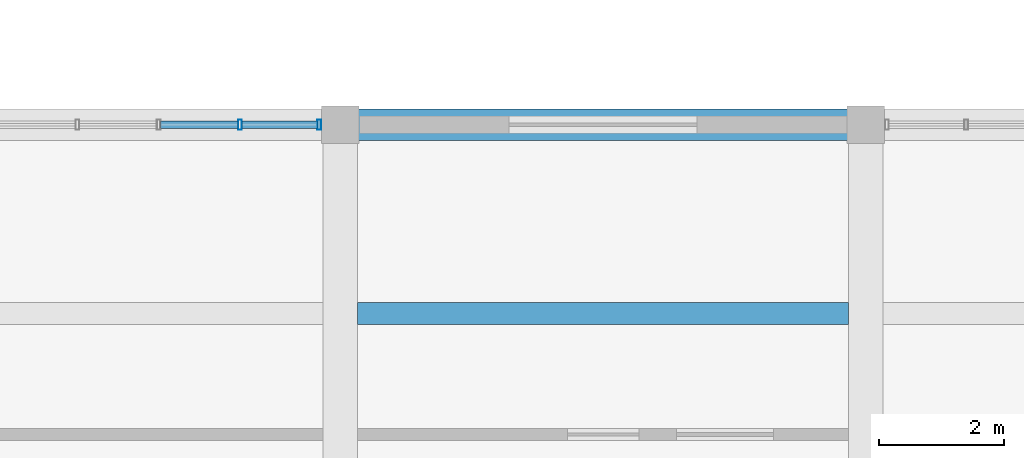
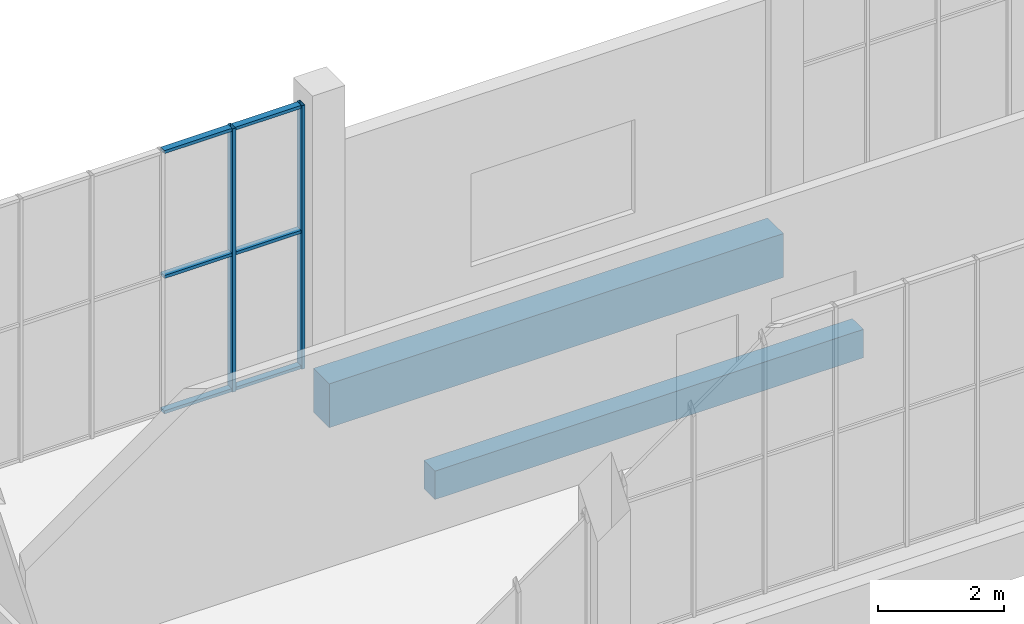
# One storey, part 64 of 132: 8 members, 2 beams, 1 element without a shape of its own.
"""IFC4 building model written with IfcOpenShell, lengths in metres."""

from ifc_helpers import new_model, si_unit, direction, frame, origin, origin_2d, place, context, subcontext, project, spatial, rectangle, hollow_rectangle, extrude, material, material_profile, profile_set, type_object, element, aggregate, save


model = new_model("IFC4")

# Units and contexts
model_context = context("Model", 3, precision=1e-05, world=origin(), true_north=direction((0.0, 1.0)))
body_context = subcontext(model_context, "Body", "Model", "MODEL_VIEW")
ifc_project = project(units=[si_unit("LENGTHUNIT", "METRE"), si_unit("AREAUNIT", "SQUARE_METRE"), si_unit("VOLUMEUNIT", "CUBIC_METRE"), si_unit("PLANEANGLEUNIT", "RADIAN"), si_unit("MASSUNIT", "GRAM", prefix="KILO")], contexts=[model_context])

# Site, building, storey
site_placement = place(None, origin())
site = spatial("IfcSite", under=ifc_project, at=site_placement, CompositionType="ELEMENT")
building_placement = place(site_placement, origin())
building = spatial("IfcBuilding", under=site, at=building_placement, Name="Khurvash Pelagic Aquarium", CompositionType="ELEMENT")
storey_placement = place(building_placement, frame((0.0, 0.0, 5.39990234375)))
storey = spatial("IfcBuildingStorey", under=building, at=storey_placement, Name="L01", CompositionType="ELEMENT", Elevation=5.39990234375)

# Curtain wall, members
ifc_material_1 = material(Name="Anodised aluminium and low-E laminated glass", Category="aluminium")
curtain_wall_type = type_object("IfcCurtainWallType", Name="CW-05", PredefinedType="USERDEFINED", material=ifc_material_1)
curtain_wall_placement = place(storey_placement, origin())
curtain_wall = element("IfcCurtainWall", 1, at=curtain_wall_placement, inside=storey, type_object=curtain_wall_type, Name="L01 Facade Unitised Curtain Wall CW-05 0120", ObjectType="UNITISED CURTAIN WALL", PredefinedType="USERDEFINED")
ifc_material_2 = material(Name="Extruded aluminium AW-6063-T6", Category="aluminium")
ifc_material_profile_1 = material_profile(ifc_material_2, hollow_rectangle(XDim=0.06005859375, YDim=0.159912109375, WallThickness=0.00390625, at=origin_2d()), Name="CWM60X160X4")
ifc_profile_set_1 = profile_set([ifc_material_profile_1], Name="Extruded aluminium AW-6063-T6")
member_type_1 = type_object("IfcMemberType", Name="CM-02", PredefinedType="MULLION", material=ifc_profile_set_1)
member_1_placement = place(storey_placement, frame((41.6650390625, 102.14990234375, 0.0), z_axis=(0.0, 0.0, 1.0), x_axis=(-1.0, 0.0, 0.0)))
member_1 = element("IfcMember", 2, at=member_1_placement, type_object=member_type_1, Name="CW-05 mullion 1", PredefinedType="MULLION", context=body_context, shape_type="SweptSolid", body=[
    extrude(hollow_rectangle(XDim=0.06005859375, YDim=0.159912109375, WallThickness=0.00390625, at=origin_2d()), origin(), (0.0, 0.0, 1.0), 5.10009765625),
])
member_2_placement = place(storey_placement, frame((40.396728515625, 102.14990234375, 0.0), z_axis=(0.0, 0.0, 1.0), x_axis=(-1.0, 0.0, 0.0)))
member_2 = element("IfcMember", 3, at=member_2_placement, type_object=member_type_1, Name="CW-05 mullion 2", PredefinedType="MULLION", context=body_context, shape_type="SweptSolid", body=[
    extrude(hollow_rectangle(XDim=0.06005859375, YDim=0.159912109375, WallThickness=0.00390625, at=origin_2d()), origin(), (0.0, 0.0, 1.0), 5.10009765625),
])
ifc_material_profile_2 = material_profile(ifc_material_2, hollow_rectangle(XDim=0.1201171875, YDim=0.06005859375, WallThickness=0.00390625, at=origin_2d()), Name="CWT120X60X4")
ifc_profile_set_2 = profile_set([ifc_material_profile_2], Name="Extruded aluminium AW-6063-T6")
member_type_2 = type_object("IfcMemberType", Name="CT-02", PredefinedType="USERDEFINED", material=ifc_profile_set_2)
member_3_placement = place(storey_placement, frame((41.635009765625, 102.14990234375, 0.030029296875), z_axis=(-1.0, 0.0, 0.0), x_axis=(0.0, -1.0, 0.0)))
member_3 = element("IfcMember", 4, at=member_3_placement, type_object=member_type_2, Name="CW-05 transom 1.1", ObjectType="TRANSOM", PredefinedType="USERDEFINED", context=body_context, shape_type="SweptSolid", body=[
    extrude(hollow_rectangle(XDim=0.1201171875, YDim=0.06005859375, WallThickness=0.00390625, at=origin_2d()), origin(), (0.0, 0.0, 1.0), 1.208251953125),
])
member_4_placement = place(storey_placement, frame((41.635009765625, 102.14990234375, 2.652099609375), z_axis=(-1.0, 0.0, 0.0), x_axis=(0.0, -1.0, 0.0)))
member_4 = element("IfcMember", 5, at=member_4_placement, type_object=member_type_2, Name="CW-05 transom 1.2", ObjectType="TRANSOM", PredefinedType="USERDEFINED", context=body_context, shape_type="SweptSolid", body=[
    extrude(hollow_rectangle(XDim=0.1201171875, YDim=0.06005859375, WallThickness=0.00390625, at=origin_2d()), origin(), (0.0, 0.0, 1.0), 1.208251953125),
])
member_5_placement = place(storey_placement, frame((41.635009765625, 102.14990234375, 5.070068359375), z_axis=(-1.0, 0.0, 0.0), x_axis=(0.0, -1.0, 0.0)))
member_5 = element("IfcMember", 6, at=member_5_placement, type_object=member_type_2, Name="CW-05 transom 1.3", ObjectType="TRANSOM", PredefinedType="USERDEFINED", context=body_context, shape_type="SweptSolid", body=[
    extrude(hollow_rectangle(XDim=0.1201171875, YDim=0.06005859375, WallThickness=0.00390625, at=origin_2d()), origin(), (0.0, 0.0, 1.0), 1.208251953125),
])
member_6_placement = place(storey_placement, frame((40.36669921875, 102.14990234375, 0.030029296875), z_axis=(-1.0, 0.0, 0.0), x_axis=(0.0, -1.0, 0.0)))
member_6 = element("IfcMember", 7, at=member_6_placement, type_object=member_type_2, Name="CW-05 transom 2.1", ObjectType="TRANSOM", PredefinedType="USERDEFINED", context=body_context, shape_type="SweptSolid", body=[
    extrude(hollow_rectangle(XDim=0.1201171875, YDim=0.06005859375, WallThickness=0.00390625, at=origin_2d()), origin(), (0.0, 0.0, 1.0), 1.23828125),
])
member_7_placement = place(storey_placement, frame((40.36669921875, 102.14990234375, 2.652099609375), z_axis=(-1.0, 0.0, 0.0), x_axis=(0.0, -1.0, 0.0)))
member_7 = element("IfcMember", 8, at=member_7_placement, type_object=member_type_2, Name="CW-05 transom 2.2", ObjectType="TRANSOM", PredefinedType="USERDEFINED", context=body_context, shape_type="SweptSolid", body=[
    extrude(hollow_rectangle(XDim=0.1201171875, YDim=0.06005859375, WallThickness=0.00390625, at=origin_2d()), origin(), (0.0, 0.0, 1.0), 1.23828125),
])
member_8_placement = place(storey_placement, frame((40.36669921875, 102.14990234375, 5.070068359375), z_axis=(-1.0, 0.0, 0.0), x_axis=(0.0, -1.0, 0.0)))
member_8 = element("IfcMember", 9, at=member_8_placement, type_object=member_type_2, Name="CW-05 transom 2.3", ObjectType="TRANSOM", PredefinedType="USERDEFINED", context=body_context, shape_type="SweptSolid", body=[
    extrude(hollow_rectangle(XDim=0.1201171875, YDim=0.06005859375, WallThickness=0.00390625, at=origin_2d()), origin(), (0.0, 0.0, 1.0), 1.23828125),
])
aggregate(curtain_wall, [member_1, member_2, member_3, member_4, member_5, member_6, member_7, member_8])

# Beams
ifc_material_3 = material(Name="Concrete C35/45", Category="concrete")
ifc_material_profile_3 = material_profile(ifc_material_3, rectangle(XDim=0.35009765625, YDim=0.550048828125, at=origin_2d()), Name="RC350X550")
ifc_profile_set_3 = profile_set([ifc_material_profile_3], Name="Concrete C35/45")
beam_type_1 = type_object("IfcBeamType", Name="JS-01", PredefinedType="JOIST", material=ifc_profile_set_3)
beam_1_placement = place(storey_placement, frame((42.27490234375, 99.133056640625, -0.5849609375), z_axis=(1.0, 0.0, 0.0), x_axis=(0.0, 1.0, 0.0)))
element("IfcBeam", 10, at=beam_1_placement, inside=storey, type_object=beam_type_1, Name="L01 Floor Joist JS-01 00491", PredefinedType="JOIST", context=body_context, shape_type="SweptSolid", body=[
    extrude(rectangle(XDim=0.35009765625, YDim=0.550048828125, at=origin_2d()), origin(), (0.0, 0.0, 1.0), 7.85009765625),
])
ifc_material_4 = material(Name="Concrete C40/50", Category="concrete")
ifc_material_profile_4 = material_profile(ifc_material_4, rectangle(XDim=0.5, YDim=0.85009765625, at=origin_2d()), Name="RC500X850")
ifc_profile_set_4 = profile_set([ifc_material_profile_4], Name="Concrete C40/50")
beam_type_2 = type_object("IfcBeamType", Name="SEB-03", PredefinedType="SPANDREL", material=ifc_profile_set_4)
beam_2_placement = place(storey_placement, frame((42.0400390625, 102.14990234375, -0.744873046875), z_axis=(1.0, 0.0, 0.0), x_axis=(0.0, 1.0, 0.0)))
element("IfcBeam", 11, at=beam_2_placement, inside=storey, type_object=beam_type_2, Name="L01 Primary Girder SEB-03 00338", PredefinedType="SPANDREL", context=body_context, shape_type="SweptSolid", body=[
    extrude(rectangle(XDim=0.5, YDim=0.85009765625, at=origin_2d()), origin(), (0.0, 0.0, 1.0), 8.320068359375),
])

save(model, "model.ifc")
